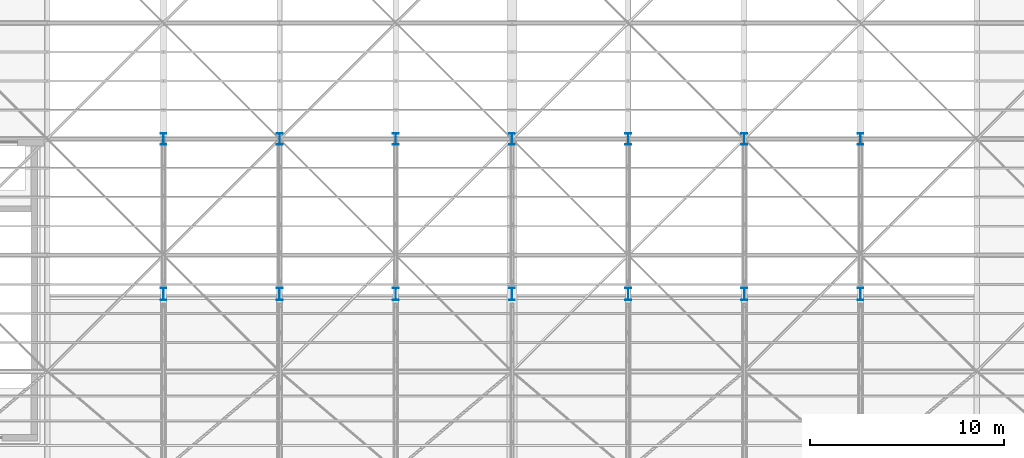
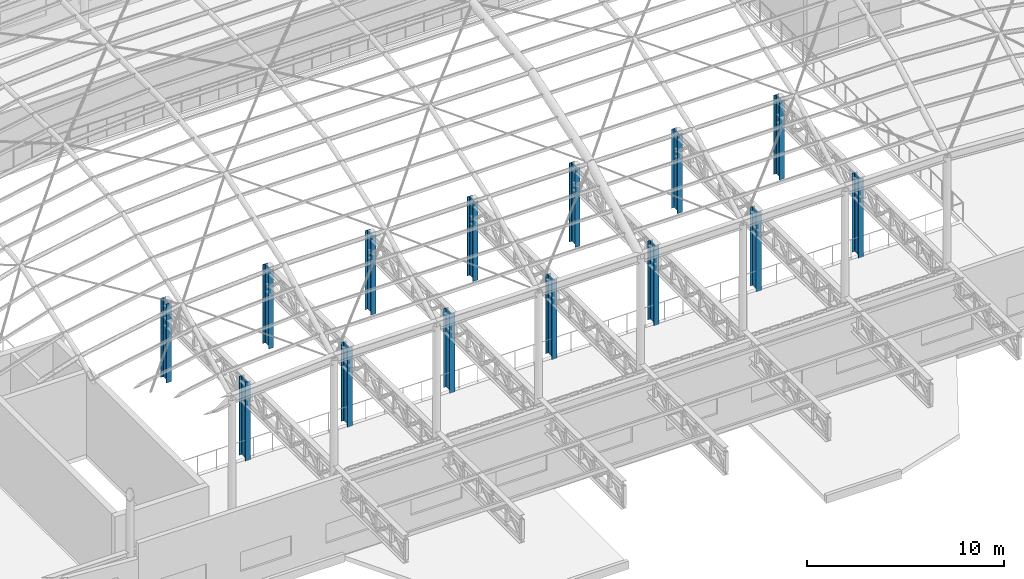
# One storey, part 7 of 75: 14 columns.
"""IFC4 building model written with IfcOpenShell, lengths in metres."""

from ifc_helpers import new_model, si_unit, direction, frame, origin, origin_2d, place, context, subcontext, project, spatial, i_section, extrude, material, material_profile, profile_set, type_object, element, save


model = new_model("IFC4")

# Units and contexts
model_context = context("Model", 3, precision=1e-05, world=origin(), true_north=direction((0.0, 1.0)))
body_context = subcontext(model_context, "Body", "Model", "MODEL_VIEW")
ifc_project = project(units=[si_unit("LENGTHUNIT", "METRE"), si_unit("AREAUNIT", "SQUARE_METRE"), si_unit("VOLUMEUNIT", "CUBIC_METRE"), si_unit("PLANEANGLEUNIT", "RADIAN"), si_unit("MASSUNIT", "GRAM", prefix="KILO")], contexts=[model_context])

# Site, building, storey
site_placement = place(None, origin())
site = spatial("IfcSite", under=ifc_project, at=site_placement, CompositionType="ELEMENT")
building_placement = place(site_placement, origin())
building = spatial("IfcBuilding", under=site, at=building_placement, Name="Kolvaren Corner Interchange", CompositionType="ELEMENT")
storey_placement = place(building_placement, frame((0.0, 0.0, 10.5)))
storey = spatial("IfcBuildingStorey", under=building, at=storey_placement, Name="L03", CompositionType="ELEMENT", Elevation=10.5)

# Columns
ifc_material_1 = material(Name="Steel S355", Category="steel")
ifc_material_profile_1 = material_profile(ifc_material_1, i_section(OverallWidth=0.300048828125, OverallDepth=0.60009765625, WebThickness=0.015380859375, FlangeThickness=0.030029296875, FilletRadius=0.027099609375, at=origin_2d()), Name="HEB 600")
ifc_profile_set_1 = profile_set([ifc_material_profile_1], Name="Steel S355")
column_type_1 = type_object("IfcColumnType", Name="COL-HEB600", PredefinedType="COLUMN", material=ifc_profile_set_1)
for number, where, z_axis, x_axis, name in (
    (1, (72.0, 42.0, 0.0), (0.0, 0.0, 1.0), (1.0, 0.0, 0.0), "Storey L03 Structural Column 0514"),
    (2, (78.0, 42.0, 0.0), (0.0, 0.0, 1.0), (1.0, 0.0, 0.0), "Storey L03 Structural Column 0534"),
    (3, (84.0, 42.0, 0.0), (0.0, 0.0, 1.0), (1.0, 0.0, 0.0), "Storey L03 Structural Column 0554"),
    (4, (90.0, 42.0, 0.0), (0.0, 0.0, 1.0), (1.0, 0.0, 0.0), "Storey L03 Structural Column 0574"),
    (5, (96.0, 42.0, 0.0), (0.0, 0.0, 1.0), (1.0, 0.0, 0.0), "Storey L03 Structural Column 0594"),
    (6, (102.0, 42.0, 0.0), (0.0, 0.0, 1.0), (1.0, 0.0, 0.0), "Storey L03 Structural Column 0614"),
    (7, (108.0, 42.0, 0.0), (0.0, 0.0, 1.0), (1.0, 0.0, 0.0), "Storey L03 Structural Column 0634"),
):
    element("IfcColumn", number, at=place(storey_placement, frame(where, z_axis=z_axis, x_axis=x_axis)), inside=storey, type_object=column_type_1, Name=name, PredefinedType="COLUMN", context=body_context, shape_type="SweptSolid", body=[
        extrude(i_section(OverallWidth=0.300048828125, OverallDepth=0.60009765625, WebThickness=0.015380859375, FlangeThickness=0.030029296875, FilletRadius=0.027099609375, at=origin_2d()), origin(), (0.0, 0.0, 1.0), 4.89990234375),
    ])
ifc_material_2 = material(Name="Steel S355", Category="steel")
ifc_material_profile_2 = material_profile(ifc_material_2, i_section(OverallWidth=0.300048828125, OverallDepth=0.64990234375, WebThickness=0.01611328125, FlangeThickness=0.031005859375, FilletRadius=0.027099609375, at=origin_2d()), Name="HEB 650")
ifc_profile_set_2 = profile_set([ifc_material_profile_2], Name="Steel S355")
column_type_2 = type_object("IfcColumnType", Name="COL-HEB650", PredefinedType="COLUMN", material=ifc_profile_set_2)
for number, where, z_axis, x_axis, name in (
    (8, (72.0, 34.0, 0.0), (0.0, 0.0, 1.0), (1.0, 0.0, 0.0), "Storey L03 Structural Column 0510"),
    (9, (78.0, 34.0, 0.0), (0.0, 0.0, 1.0), (1.0, 0.0, 0.0), "Storey L03 Structural Column 0530"),
    (10, (84.0, 34.0, 0.0), (0.0, 0.0, 1.0), (1.0, 0.0, 0.0), "Storey L03 Structural Column 0550"),
    (11, (90.0, 34.0, 0.0), (0.0, 0.0, 1.0), (1.0, 0.0, 0.0), "Storey L03 Structural Column 0570"),
    (12, (96.0, 34.0, 0.0), (0.0, 0.0, 1.0), (1.0, 0.0, 0.0), "Storey L03 Structural Column 0590"),
    (13, (102.0, 34.0, 0.0), (0.0, 0.0, 1.0), (1.0, 0.0, 0.0), "Storey L03 Structural Column 0610"),
    (14, (108.0, 34.0, 0.0), (0.0, 0.0, 1.0), (1.0, 0.0, 0.0), "Storey L03 Structural Column 0630"),
):
    element("IfcColumn", number, at=place(storey_placement, frame(where, z_axis=z_axis, x_axis=x_axis)), inside=storey, type_object=column_type_2, Name=name, PredefinedType="COLUMN", context=body_context, shape_type="SweptSolid", body=[
        extrude(i_section(OverallWidth=0.300048828125, OverallDepth=0.64990234375, WebThickness=0.01611328125, FlangeThickness=0.031005859375, FilletRadius=0.027099609375, at=origin_2d()), origin(), (0.0, 0.0, 1.0), 4.89990234375),
    ])

save(model, "model.ifc")
